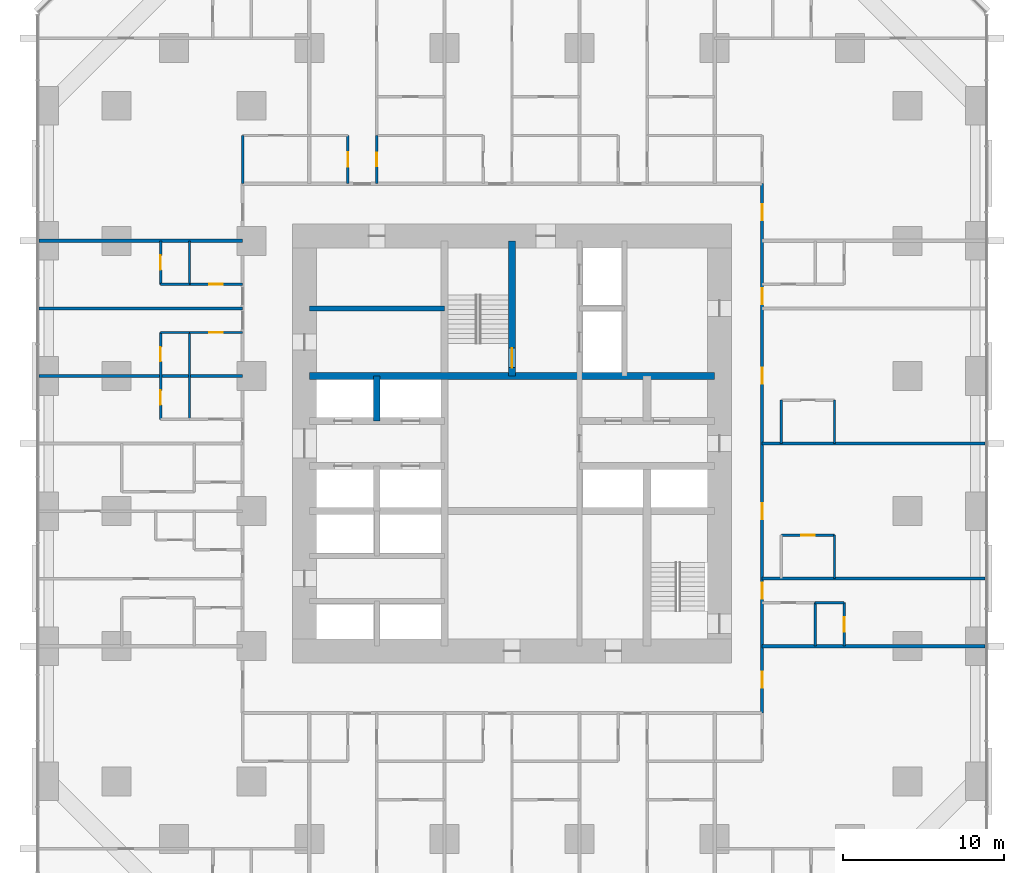
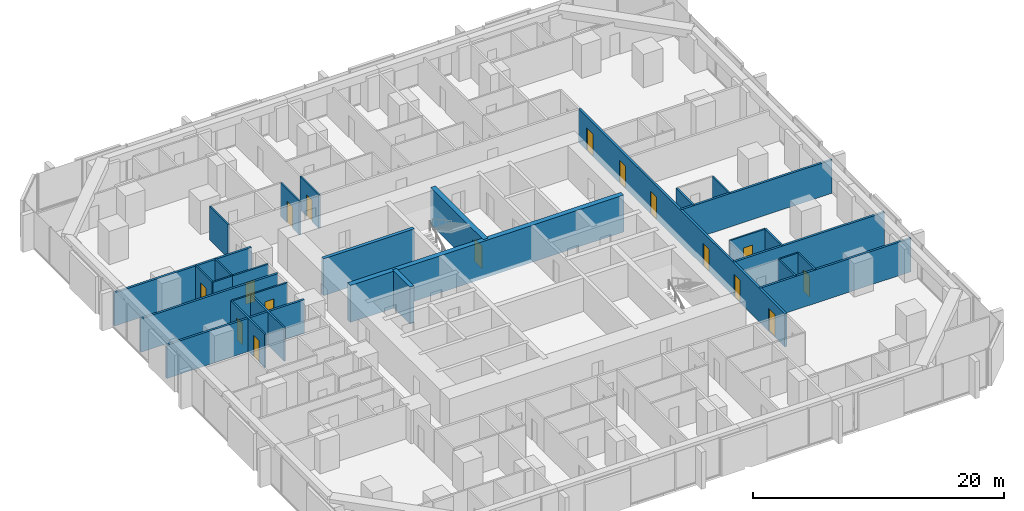
# One storey, part 14 of 17: 29 walls, 16 doors, 16 openings.
"""IFC4 building model written with IfcOpenShell, lengths in metres."""

from ifc_helpers import new_model, si_unit, direction, frame, frame_2d, origin, place, context, subcontext, project, spatial, rectangle, extrude, material, layer, layer_set, type_object, element, fill, save


model = new_model("IFC4")

# Units and contexts
model_context = context("Model", 3, precision=1e-05, world=origin(), true_north=direction((0.0, 1.0)))
body_context = subcontext(model_context, "Body", "Model", "MODEL_VIEW")
ifc_project = project(units=[si_unit("LENGTHUNIT", "METRE"), si_unit("AREAUNIT", "SQUARE_METRE"), si_unit("VOLUMEUNIT", "CUBIC_METRE"), si_unit("PLANEANGLEUNIT", "RADIAN"), si_unit("MASSUNIT", "GRAM", prefix="KILO")], contexts=[model_context])

# Site, building, storey
site_placement = place(None, origin())
site = spatial("IfcSite", under=ifc_project, at=site_placement, CompositionType="ELEMENT")
building_placement = place(site_placement, origin())
building = spatial("IfcBuilding", under=site, at=building_placement, Name="Dunama Terrace Hotel", CompositionType="ELEMENT")
storey_placement = place(building_placement, frame((0.0, 0.0, 52.199951171875)))
storey = spatial("IfcBuildingStorey", under=building, at=storey_placement, Name="L12", CompositionType="ELEMENT", Elevation=52.199951171875)

# Wall
ifc_material_1 = material(Name="Gypsum board partition", Category="masonry")
ifc_layer_1 = layer(ifc_material_1, 0.14990234375)
ifc_layer_set_1 = layer_set([ifc_layer_1], Name="Bathroom partition 150")
wall_type_1 = type_object("IfcWallType", Name="Bathroom partition 150", PredefinedType="PARTITIONING", material=ifc_layer_set_1)
wall_1_placement = place(storey_placement, frame((12.64990234375, 45.550048828125, 0.0), z_axis=(0.0, 0.0, 1.0), x_axis=(0.0, 1.0, 0.0)))
element("IfcWall", 1, at=wall_1_placement, inside=storey, type_object=wall_type_1, Name="Bathroom partition 150 L12", PredefinedType="PARTITIONING", context=body_context, shape_type="SweptSolid", body=[
    extrude(rectangle(XDim=3.0, YDim=0.14990234375, at=frame_2d((1.5, 0.0))), origin(), (0.0, 0.0, 1.0), 3.25),
])

# Wall, opening, door
wall_2_placement = place(storey_placement, frame((21.0, 45.550048828125, 0.0), z_axis=(0.0, 0.0, 1.0), x_axis=(0.0, 1.0, 0.0)))
wall_2 = element("IfcWall", 2, at=wall_2_placement, inside=storey, type_object=wall_type_1, Name="Bathroom partition 150 L12", PredefinedType="PARTITIONING", context=body_context, shape_type="SweptSolid", body=[
    extrude(rectangle(XDim=3.0, YDim=0.14990234375, at=frame_2d((1.5, 0.0))), origin(), (0.0, 0.0, 1.0), 3.25),
])
opening_1_placement = place(wall_2_placement, frame((1.074951171875, 0.0, 0.0)))
opening_1 = element("IfcOpeningElement", 3, at=opening_1_placement, cuts=wall_2, Name="Opening L12-036", PredefinedType="OPENING", context=body_context, shape_type="SweptSolid", body=[
    extrude(rectangle(XDim=0.85009765625, YDim=2.10009765625, at=frame_2d((0.425048828125, 1.050048828125))), frame((0.0, 0.0849609375, 0.0), z_axis=(0.0, -1.0, 0.0), x_axis=(1.0, 0.0, 0.0)), (0.0, 0.0, 1.0), 0.169921875),
])
ifc_material_2 = material(Name="Timber door with steel frame", Category="steel")
door_type_1 = type_object("IfcDoorType", Name="Bathroom door 850", OperationType="SINGLE_SWING_LEFT", PredefinedType="DOOR", material=ifc_material_2)
door_1_placement = place(opening_1_placement, frame((0.85009765625, 0.0, 0.0), z_axis=(0.0, 0.0, 1.0), x_axis=(-1.0, 0.0, 0.0)))
door_1 = element("IfcDoor", 4, at=door_1_placement, inside=storey, type_object=door_type_1, Name="Door to residence bathroom L12-036, type D2", OperationType="SINGLE_SWING_RIGHT", OverallHeight=2.10009765625, OverallWidth=0.85009765625, PredefinedType="DOOR", context=body_context, shape_type="SweptSolid", body=[
    extrude(rectangle(XDim=0.85009765625, YDim=2.10009765625, at=frame_2d((0.425048828125, 1.050048828125))), frame((0.0, 0.025146484375, 0.0), z_axis=(0.0, -1.0, 0.0), x_axis=(1.0, 0.0, 0.0)), (0.0, 0.0, 1.0), 0.050048828125),
])
fill(opening_1, door_1)

# Walls
wall_3_placement = place(storey_placement, frame((46.14990234375, 29.39990234375, 0.0), z_axis=(0.0, 0.0, 1.0), x_axis=(0.0, 1.0, 0.0)))
element("IfcWall", 5, at=wall_3_placement, inside=storey, type_object=wall_type_1, Name="Bathroom partition 150 L12", PredefinedType="PARTITIONING", context=body_context, shape_type="SweptSolid", body=[
    extrude(rectangle(XDim=2.7001953125, YDim=0.14990234375, at=frame_2d((1.35009765625, 0.0))), origin(), (0.0, 0.0, 1.0), 3.25),
])
wall_4_placement = place(storey_placement, frame((49.449951171875, 21.0, 0.0), z_axis=(0.0, 0.0, 1.0), x_axis=(0.0, 1.0, 0.0)))
element("IfcWall", 6, at=wall_4_placement, inside=storey, type_object=wall_type_1, Name="Bathroom partition 150 L12", PredefinedType="PARTITIONING", context=body_context, shape_type="SweptSolid", body=[
    extrude(rectangle(XDim=2.699951171875, YDim=0.14990234375, at=frame_2d((1.35009765625, 0.0))), origin(), (0.0, 0.0, 1.0), 3.25),
])
wall_5_placement = place(storey_placement, frame((49.449951171875, 29.39990234375, 0.0), z_axis=(0.0, 0.0, 1.0), x_axis=(0.0, 1.0, 0.0)))
element("IfcWall", 7, at=wall_5_placement, inside=storey, type_object=wall_type_1, Name="Bathroom partition 150 L12", PredefinedType="PARTITIONING", context=body_context, shape_type="SweptSolid", body=[
    extrude(rectangle(XDim=2.7001953125, YDim=0.14990234375, at=frame_2d((1.35009765625, 0.0))), origin(), (0.0, 0.0, 1.0), 3.25),
])

# Wall, opening, door
wall_6_placement = place(storey_placement, frame((46.14990234375, 23.699951171875, 0.0), z_axis=(0.0, 0.0, 1.0), x_axis=(1.0, 0.0, 0.0)))
wall_6 = element("IfcWall", 8, at=wall_6_placement, inside=storey, type_object=wall_type_1, Name="Bathroom partition 150 L12", PredefinedType="PARTITIONING", context=body_context, shape_type="SweptSolid", body=[
    extrude(rectangle(XDim=3.300048828125, YDim=0.14990234375, at=frame_2d((1.64990234375, 0.0))), origin(), (0.0, 0.0, 1.0), 3.25),
])
opening_2_placement = place(wall_6_placement, frame((1.22509765625, 0.0, 0.0)))
opening_2 = element("IfcOpeningElement", 9, at=opening_2_placement, cuts=wall_6, Name="Opening L12-028", PredefinedType="OPENING", context=body_context, shape_type="SweptSolid", body=[
    extrude(rectangle(XDim=0.85009765625, YDim=2.10009765625, at=frame_2d((0.425048828125, 1.050048828125))), frame((0.0, 0.0849609375, 0.0), z_axis=(0.0, -1.0, 0.0), x_axis=(1.0, 0.0, 0.0)), (0.0, 0.0, 1.0), 0.169921875),
])
door_2_placement = place(opening_2_placement, frame((0.85009765625, 0.0, 0.0), z_axis=(0.0, 0.0, 1.0), x_axis=(-1.0, 0.0, 0.0)))
door_2 = element("IfcDoor", 10, at=door_2_placement, inside=storey, type_object=door_type_1, Name="Door to en-suite bathroom L12-028, type D2", OperationType="SINGLE_SWING_RIGHT", OverallHeight=2.10009765625, OverallWidth=0.85009765625, PredefinedType="DOOR", context=body_context, shape_type="SweptSolid", body=[
    extrude(rectangle(XDim=0.85009765625, YDim=2.10009765625, at=frame_2d((0.425048828125, 1.050048828125))), frame((0.0, 0.025146484375, 0.0), z_axis=(0.0, -1.0, 0.0), x_axis=(1.0, 0.0, 0.0)), (0.0, 0.0, 1.0), 0.050048828125),
])
fill(opening_2, door_2)

wall_7_placement = place(storey_placement, frame((9.35009765625, 36.300048828125, 0.0), z_axis=(0.0, 0.0, 1.0), x_axis=(1.0, 0.0, 0.0)))
wall_7 = element("IfcWall", 11, at=wall_7_placement, inside=storey, type_object=wall_type_1, Name="Bathroom partition 150 L12", PredefinedType="PARTITIONING", context=body_context, shape_type="SweptSolid", body=[
    extrude(rectangle(XDim=3.2998046875, YDim=0.14990234375, at=frame_2d((1.64990234375, 0.0))), origin(), (0.0, 0.0, 1.0), 3.25),
])
opening_3_placement = place(wall_7_placement, frame((1.22509765625, 0.0, 0.0)))
opening_3 = element("IfcOpeningElement", 12, at=opening_3_placement, cuts=wall_7, Name="Opening L12-062", PredefinedType="OPENING", context=body_context, shape_type="SweptSolid", body=[
    extrude(rectangle(XDim=0.85009765625, YDim=2.10009765625, at=frame_2d((0.425048828125, 1.050048828125))), frame((0.0, 0.0849609375, 0.0), z_axis=(0.0, -1.0, 0.0), x_axis=(1.0, 0.0, 0.0)), (0.0, 0.0, 1.0), 0.169921875),
])
door_3_placement = place(opening_3_placement, frame((0.85009765625, 0.0, 0.0), z_axis=(0.0, 0.0, 1.0), x_axis=(-1.0, 0.0, 0.0)))
door_3 = element("IfcDoor", 13, at=door_3_placement, inside=storey, type_object=door_type_1, Name="Door to en-suite bathroom L12-062, type D2", OperationType="SINGLE_SWING_LEFT", OverallHeight=2.10009765625, OverallWidth=0.85009765625, PredefinedType="DOOR", context=body_context, shape_type="SweptSolid", body=[
    extrude(rectangle(XDim=0.85009765625, YDim=2.10009765625, at=frame_2d((0.425048828125, 1.050048828125))), frame((0.0, 0.025146484375, 0.0), z_axis=(0.0, -1.0, 0.0), x_axis=(1.0, 0.0, 0.0)), (0.0, 0.0, 1.0), 0.050048828125),
])
fill(opening_3, door_3)

wall_8_placement = place(storey_placement, frame((9.35009765625, 39.300048828125, 0.0), z_axis=(0.0, 0.0, 1.0), x_axis=(1.0, 0.0, 0.0)))
wall_8 = element("IfcWall", 14, at=wall_8_placement, inside=storey, type_object=wall_type_1, Name="Bathroom partition 150 L12", PredefinedType="PARTITIONING", context=body_context, shape_type="SweptSolid", body=[
    extrude(rectangle(XDim=3.2998046875, YDim=0.14990234375, at=frame_2d((1.64990234375, 0.0))), origin(), (0.0, 0.0, 1.0), 3.25),
])
opening_4_placement = place(wall_8_placement, frame((1.22509765625, 0.0, 0.0)))
opening_4 = element("IfcOpeningElement", 15, at=opening_4_placement, cuts=wall_8, Name="Opening L12-065", PredefinedType="OPENING", context=body_context, shape_type="SweptSolid", body=[
    extrude(rectangle(XDim=0.85009765625, YDim=2.10009765625, at=frame_2d((0.425048828125, 1.050048828125))), frame((0.0, 0.0849609375, 0.0), z_axis=(0.0, -1.0, 0.0), x_axis=(1.0, 0.0, 0.0)), (0.0, 0.0, 1.0), 0.169921875),
])
door_4_placement = place(opening_4_placement, origin())
door_4 = element("IfcDoor", 16, at=door_4_placement, inside=storey, type_object=door_type_1, Name="Door to en-suite bathroom L12-065, type D2", OperationType="SINGLE_SWING_RIGHT", OverallHeight=2.10009765625, OverallWidth=0.85009765625, PredefinedType="DOOR", context=body_context, shape_type="SweptSolid", body=[
    extrude(rectangle(XDim=0.85009765625, YDim=2.10009765625, at=frame_2d((0.425048828125, 1.050048828125))), frame((0.0, 0.02490234375, 0.0), z_axis=(0.0, -1.0, 0.0), x_axis=(1.0, 0.0, 0.0)), (0.0, 0.0, 1.0), 0.050048828125),
])
fill(opening_4, door_4)

# Walls
ifc_material_3 = material(Name="Concrete C50/60", Category="concrete")
ifc_layer_2 = layer(ifc_material_3, 0.300048828125)
ifc_layer_set_2 = layer_set([ifc_layer_2], Name="Core inner wall 300")
wall_type_2 = type_object("IfcWallType", Name="Core inner wall 300", PredefinedType="SHEAR", material=ifc_layer_set_2)
wall_9_placement = place(storey_placement, frame((16.800048828125, 37.800048828125, -0.349853515625), z_axis=(0.0, 0.0, 1.0), x_axis=(1.0, 0.0, 0.0)))
element("IfcWall", 17, at=wall_9_placement, inside=storey, type_object=wall_type_2, Name="Core inner wall 300 L12", PredefinedType="SHEAR", context=body_context, shape_type="SweptSolid", body=[
    extrude(rectangle(XDim=8.39990234375, YDim=0.300048828125, at=frame_2d((4.199951171875, 0.0))), origin(), (0.0, 0.0, 1.0), 3.599853515625),
])
ifc_material_4 = material(Name="Concrete C50/60", Category="concrete")
ifc_layer_3 = layer(ifc_material_4, 0.39990234375)
ifc_layer_set_3 = layer_set([ifc_layer_3], Name="Core inner wall 400")
wall_type_3 = type_object("IfcWallType", Name="Core inner wall 400", PredefinedType="SHEAR", material=ifc_layer_set_3)
wall_10_placement = place(storey_placement, frame((21.0, 30.800048828125, -0.349853515625), z_axis=(0.0, 0.0, 1.0), x_axis=(0.0, 1.0, 0.0)))
element("IfcWall", 18, at=wall_10_placement, inside=storey, type_object=wall_type_3, Name="Core inner wall 400 L12", PredefinedType="SHEAR", context=body_context, shape_type="SweptSolid", body=[
    extrude(rectangle(XDim=2.800048828125, YDim=0.39990234375, at=frame_2d((1.39990234375, 0.0))), origin(), (0.0, 0.0, 1.0), 3.599853515625),
])

# Wall, opening, door
ifc_material_5 = material(Name="Concrete C50/60", Category="concrete")
ifc_layer_4 = layer(ifc_material_5, 0.449951171875)
ifc_layer_set_4 = layer_set([ifc_layer_4], Name="Core inner wall 450")
wall_type_4 = type_object("IfcWallType", Name="Core inner wall 450", PredefinedType="SHEAR", material=ifc_layer_set_4)
wall_11_placement = place(storey_placement, frame((29.39990234375, 33.60009765625, -0.349853515625), z_axis=(0.0, 0.0, 1.0), x_axis=(0.0, 1.0, 0.0)))
wall_11 = element("IfcWall", 19, at=wall_11_placement, inside=storey, type_object=wall_type_4, Name="Core inner wall 450 L12", PredefinedType="SHEAR", context=body_context, shape_type="SweptSolid", body=[
    extrude(rectangle(XDim=8.39990234375, YDim=0.449951171875, at=frame_2d((4.199951171875, 0.0))), origin(), (0.0, 0.0, 1.0), 3.599853515625),
])
opening_5_placement = place(wall_11_placement, frame((0.52490234375, 0.0, 0.35009765625)))
opening_5 = element("IfcOpeningElement", 20, at=opening_5_placement, cuts=wall_11, Name="Opening L12-001", PredefinedType="OPENING", context=body_context, shape_type="SweptSolid", body=[
    extrude(rectangle(XDim=1.199951171875, YDim=2.199951171875, at=frame_2d((0.60009765625, 1.10009765625))), frame((0.0, 0.23486328125, 0.0), z_axis=(0.0, -1.0, 0.0), x_axis=(1.0, 0.0, 0.0)), (0.0, 0.0, 1.0), 0.469970703125),
])
ifc_material_6 = material(Name="Timber door with steel frame", Category="steel")
door_type_2 = type_object("IfcDoorType", Name="Stair door 1200", OperationType="SINGLE_SWING_LEFT", PredefinedType="DOOR", material=ifc_material_6)
door_5_placement = place(opening_5_placement, origin())
door_5 = element("IfcDoor", 21, at=door_5_placement, inside=storey, type_object=door_type_2, Name="Stair door ST1 L12-001, type D5", OperationType="SINGLE_SWING_LEFT", OverallHeight=2.199951171875, OverallWidth=1.199951171875, PredefinedType="DOOR", context=body_context, shape_type="SweptSolid", body=[
    extrude(rectangle(XDim=1.199951171875, YDim=2.199951171875, at=frame_2d((0.60009765625, 1.10009765625))), frame((0.0, 0.02490234375, 0.0), z_axis=(0.0, -1.0, 0.0), x_axis=(1.0, 0.0, 0.0)), (0.0, 0.0, 1.0), 0.050048828125),
])
fill(opening_5, door_5)

# Wall
wall_12_placement = place(storey_placement, frame((16.800048828125, 33.60009765625, -0.349853515625), z_axis=(0.0, 0.0, 1.0), x_axis=(1.0, 0.0, 0.0)))
element("IfcWall", 22, at=wall_12_placement, inside=storey, type_object=wall_type_4, Name="Core inner wall 450 L12", PredefinedType="SHEAR", context=body_context, shape_type="SweptSolid", body=[
    extrude(rectangle(XDim=25.199951171875, YDim=0.449951171875, at=frame_2d((12.60009765625, 0.0))), origin(), (0.0, 0.0, 1.0), 3.599853515625),
])

# Wall, openings, doors
ifc_material_7 = material(Name="Concrete blockwork", Category="masonry")
ifc_layer_5 = layer(ifc_material_7, 0.199951171875)
ifc_layer_set_5 = layer_set([ifc_layer_5], Name="Corridor partition 200")
wall_type_5 = type_object("IfcWallType", Name="Corridor partition 200", PredefinedType="PARTITIONING", material=ifc_layer_set_5)
wall_13_placement = place(storey_placement, frame((44.949951171875, 45.550048828125, 0.0), z_axis=(0.0, 0.0, 1.0), x_axis=(0.0, -1.0, 0.0)))
wall_13 = element("IfcWall", 23, at=wall_13_placement, inside=storey, type_object=wall_type_5, Name="Corridor partition 200 L12", PredefinedType="PARTITIONING", context=body_context, shape_type="SweptSolid", body=[
    extrude(rectangle(XDim=32.900146484375, YDim=0.199951171875, at=frame_2d((16.4501953125, 0.0))), origin(), (0.0, 0.0, 1.0), 3.25),
])
opening_6_placement = place(wall_13_placement, frame((24.800048828125, 0.0, 0.0)))
opening_6 = element("IfcOpeningElement", 24, at=opening_6_placement, cuts=wall_13, Name="Opening L12-024", PredefinedType="OPENING", context=body_context, shape_type="SweptSolid", body=[
    extrude(rectangle(XDim=1.0, YDim=2.199951171875, at=frame_2d((0.5, 1.10009765625))), frame((0.0, 0.10986328125, 0.0), z_axis=(0.0, -1.0, 0.0), x_axis=(1.0, 0.0, 0.0)), (0.0, 0.0, 1.0), 0.219970703125),
])
opening_7_placement = place(wall_13_placement, frame((19.85009765625, 0.0, 0.0)))
opening_7 = element("IfcOpeningElement", 25, at=opening_7_placement, cuts=wall_13, Name="Opening L12-027", PredefinedType="OPENING", context=body_context, shape_type="SweptSolid", body=[
    extrude(rectangle(XDim=1.0, YDim=2.199951171875, at=frame_2d((0.5, 1.10009765625))), frame((0.0, 0.10986328125, 0.0), z_axis=(0.0, -1.0, 0.0), x_axis=(1.0, 0.0, 0.0)), (0.0, 0.0, 1.0), 0.219970703125),
])
opening_8_placement = place(wall_13_placement, frame((11.449951171875, 0.0, 0.0)))
opening_8 = element("IfcOpeningElement", 26, at=opening_8_placement, cuts=wall_13, Name="Opening L12-029", PredefinedType="OPENING", context=body_context, shape_type="SweptSolid", body=[
    extrude(rectangle(XDim=1.0, YDim=2.199951171875, at=frame_2d((0.5, 1.10009765625))), frame((0.0, 0.10986328125, 0.0), z_axis=(0.0, -1.0, 0.0), x_axis=(1.0, 0.0, 0.0)), (0.0, 0.0, 1.0), 0.219970703125),
])
opening_9_placement = place(wall_13_placement, frame((6.5, 0.0, 0.0)))
opening_9 = element("IfcOpeningElement", 27, at=opening_9_placement, cuts=wall_13, Name="Opening L12-031", PredefinedType="OPENING", context=body_context, shape_type="SweptSolid", body=[
    extrude(rectangle(XDim=1.0, YDim=2.199951171875, at=frame_2d((0.5, 1.10009765625))), frame((0.0, 0.10986328125, 0.0), z_axis=(0.0, -1.0, 0.0), x_axis=(1.0, 0.0, 0.0)), (0.0, 0.0, 1.0), 0.219970703125),
])
opening_10_placement = place(wall_13_placement, frame((30.324951171875, 0.0, 0.0)))
opening_10 = element("IfcOpeningElement", 28, at=opening_10_placement, cuts=wall_13, Name="Opening L12-072", PredefinedType="OPENING", context=body_context, shape_type="SweptSolid", body=[
    extrude(rectangle(XDim=1.0, YDim=2.199951171875, at=frame_2d((0.5, 1.10009765625))), frame((0.0, 0.10986328125, 0.0), z_axis=(0.0, -1.0, 0.0), x_axis=(1.0, 0.0, 0.0)), (0.0, 0.0, 1.0), 0.219970703125),
])
opening_11_placement = place(wall_13_placement, frame((1.27490234375, 0.0, 0.0)))
opening_11 = element("IfcOpeningElement", 29, at=opening_11_placement, cuts=wall_13, Name="Opening L12-077", PredefinedType="OPENING", context=body_context, shape_type="SweptSolid", body=[
    extrude(rectangle(XDim=1.0, YDim=2.199951171875, at=frame_2d((0.5, 1.10009765625))), frame((0.0, 0.10986328125, 0.0), z_axis=(0.0, -1.0, 0.0), x_axis=(1.0, 0.0, 0.0)), (0.0, 0.0, 1.0), 0.219970703125),
])
ifc_material_8 = material(Name="Timber door with steel frame", Category="steel")
door_type_3 = type_object("IfcDoorType", Name="Guest room door 1000", OperationType="SINGLE_SWING_LEFT", PredefinedType="DOOR", material=ifc_material_8)
door_6_placement = place(opening_6_placement, origin())
door_6 = element("IfcDoor", 30, at=door_6_placement, inside=storey, type_object=door_type_3, Name="Door to deluxe room L12-024, type D1", OperationType="SINGLE_SWING_LEFT", OverallHeight=2.199951171875, OverallWidth=1.0, PredefinedType="DOOR", context=body_context, shape_type="SweptSolid", body=[
    extrude(rectangle(XDim=1.0, YDim=2.199951171875, at=frame_2d((0.5, 1.10009765625))), frame((0.0, 0.02490234375, 0.0), z_axis=(0.0, -1.0, 0.0), x_axis=(1.0, 0.0, 0.0)), (0.0, 0.0, 1.0), 0.050048828125),
])
fill(opening_6, door_6)
door_7_placement = place(opening_7_placement, origin())
door_7 = element("IfcDoor", 31, at=door_7_placement, inside=storey, type_object=door_type_3, Name="Door to junior suite L12-027, type D1", OperationType="SINGLE_SWING_RIGHT", OverallHeight=2.199951171875, OverallWidth=1.0, PredefinedType="DOOR", context=body_context, shape_type="SweptSolid", body=[
    extrude(rectangle(XDim=1.0, YDim=2.199951171875, at=frame_2d((0.5, 1.10009765625))), frame((0.0, 0.02490234375, 0.0), z_axis=(0.0, -1.0, 0.0), x_axis=(1.0, 0.0, 0.0)), (0.0, 0.0, 1.0), 0.050048828125),
])
fill(opening_7, door_7)
door_8_placement = place(opening_8_placement, origin())
door_8 = element("IfcDoor", 32, at=door_8_placement, inside=storey, type_object=door_type_3, Name="Door to junior suite L12-029, type D1", OperationType="SINGLE_SWING_RIGHT", OverallHeight=2.199951171875, OverallWidth=1.0, PredefinedType="DOOR", context=body_context, shape_type="SweptSolid", body=[
    extrude(rectangle(XDim=1.0, YDim=2.199951171875, at=frame_2d((0.5, 1.10009765625))), frame((0.0, 0.02490234375, 0.0), z_axis=(0.0, -1.0, 0.0), x_axis=(1.0, 0.0, 0.0)), (0.0, 0.0, 1.0), 0.050048828125),
])
fill(opening_8, door_8)
door_9_placement = place(opening_9_placement, origin())
door_9 = element("IfcDoor", 33, at=door_9_placement, inside=storey, type_object=door_type_3, Name="Door to deluxe room L12-031, type D1", OperationType="SINGLE_SWING_RIGHT", OverallHeight=2.199951171875, OverallWidth=1.0, PredefinedType="DOOR", context=body_context, shape_type="SweptSolid", body=[
    extrude(rectangle(XDim=1.0, YDim=2.199951171875, at=frame_2d((0.5, 1.10009765625))), frame((0.0, 0.02490234375, 0.0), z_axis=(0.0, -1.0, 0.0), x_axis=(1.0, 0.0, 0.0)), (0.0, 0.0, 1.0), 0.050048828125),
])
fill(opening_9, door_9)
door_10_placement = place(opening_10_placement, origin())
door_10 = element("IfcDoor", 34, at=door_10_placement, inside=storey, type_object=door_type_3, Name="Door to corner suite living room L12-072, type D1", OperationType="SINGLE_SWING_RIGHT", OverallHeight=2.199951171875, OverallWidth=1.0, PredefinedType="DOOR", context=body_context, shape_type="SweptSolid", body=[
    extrude(rectangle(XDim=1.0, YDim=2.199951171875, at=frame_2d((0.5, 1.10009765625))), frame((0.0, 0.02490234375, 0.0), z_axis=(0.0, -1.0, 0.0), x_axis=(1.0, 0.0, 0.0)), (0.0, 0.0, 1.0), 0.050048828125),
])
fill(opening_10, door_10)
door_11_placement = place(opening_11_placement, origin())
door_11 = element("IfcDoor", 35, at=door_11_placement, inside=storey, type_object=door_type_3, Name="Door to corner suite living room L12-077, type D1", OperationType="SINGLE_SWING_LEFT", OverallHeight=2.199951171875, OverallWidth=1.0, PredefinedType="DOOR", context=body_context, shape_type="SweptSolid", body=[
    extrude(rectangle(XDim=1.0, YDim=2.199951171875, at=frame_2d((0.5, 1.10009765625))), frame((0.0, 0.02490234375, 0.0), z_axis=(0.0, -1.0, 0.0), x_axis=(1.0, 0.0, 0.0)), (0.0, 0.0, 1.0), 0.050048828125),
])
fill(opening_11, door_11)

# Walls
ifc_material_9 = material(Name="Concrete blockwork", Category="masonry")
ifc_layer_6 = layer(ifc_material_9, 0.199951171875)
ifc_layer_set_6 = layer_set([ifc_layer_6], Name="Party wall 200")
wall_type_6 = type_object("IfcWallType", Name="Party wall 200", PredefinedType="PARTITIONING", material=ifc_layer_set_6)
for number, where, z_axis, x_axis, name in (
    (36, (44.949951171875, 16.800048828125, 0.0), (0.0, 0.0, 1.0), (1.0, 0.0, 0.0), "Party wall 200 L12"),
    (37, (44.949951171875, 21.0, 0.0), (0.0, 0.0, 1.0), (1.0, 0.0, 0.0), "Party wall 200 L12"),
    (38, (44.949951171875, 29.39990234375, 0.0), (0.0, 0.0, 1.0), (1.0, 0.0, 0.0), "Party wall 200 L12"),
):
    element("IfcWall", number, at=place(storey_placement, frame(where, z_axis=z_axis, x_axis=x_axis)), inside=storey, type_object=wall_type_6, Name=name, PredefinedType="PARTITIONING", context=body_context, shape_type="SweptSolid", body=[
        extrude(rectangle(XDim=13.858154296875, YDim=0.199951171875, at=frame_2d((6.92919921875, 0.0))), origin(), (0.0, 0.0, 1.0), 3.25),
    ])
for number, where, z_axis, x_axis, name in (
    (39, (-0.008056640625, 33.60009765625, 0.0), (0.0, 0.0, 1.0), (1.0, 0.0, 0.0), "Party wall 200 L12"),
    (40, (-0.008056640625, 37.800048828125, 0.0), (0.0, 0.0, 1.0), (1.0, 0.0, 0.0), "Party wall 200 L12"),
    (41, (-0.008056640625, 42.0, 0.0), (0.0, 0.0, 1.0), (1.0, 0.0, 0.0), "Party wall 200 L12"),
):
    element("IfcWall", number, at=place(storey_placement, frame(where, z_axis=z_axis, x_axis=x_axis)), inside=storey, type_object=wall_type_6, Name=name, PredefinedType="PARTITIONING", context=body_context, shape_type="SweptSolid", body=[
        extrude(rectangle(XDim=12.657958984375, YDim=0.199951171875, at=frame_2d((6.3291015625, 0.0))), origin(), (0.0, 0.0, 1.0), 3.25),
    ])

# Wall, openings, doors
ifc_material_10 = material(Name="Gypsum board partition", Category="masonry")
ifc_layer_7 = layer(ifc_material_10, 0.14990234375)
ifc_layer_set_7 = layer_set([ifc_layer_7], Name="Room partition 150")
wall_type_7 = type_object("IfcWallType", Name="Room partition 150", PredefinedType="PARTITIONING", material=ifc_layer_set_7)
wall_14_placement = place(storey_placement, frame((7.550048828125, 30.89990234375, 0.0), z_axis=(0.0, 0.0, 1.0), x_axis=(0.0, 1.0, 0.0)))
wall_14 = element("IfcWall", 42, at=wall_14_placement, inside=storey, type_object=wall_type_7, Name="Room partition 150 L12", PredefinedType="PARTITIONING", context=body_context, shape_type="SweptSolid", body=[
    extrude(rectangle(XDim=5.400146484375, YDim=0.14990234375, at=frame_2d((2.7001953125, 0.0))), origin(), (0.0, 0.0, 1.0), 3.25),
])
opening_12_placement = place(wall_14_placement, frame((0.89990234375, 0.0, 0.0)))
opening_12 = element("IfcOpeningElement", 43, at=opening_12_placement, cuts=wall_14, Name="Opening L12-060", PredefinedType="OPENING", context=body_context, shape_type="SweptSolid", body=[
    extrude(rectangle(XDim=0.89990234375, YDim=2.10009765625, at=frame_2d((0.449951171875, 1.050048828125))), frame((0.0, 0.0849609375, 0.0), z_axis=(0.0, -1.0, 0.0), x_axis=(1.0, 0.0, 0.0)), (0.0, 0.0, 1.0), 0.169921875),
])
opening_13_placement = place(wall_14_placement, frame((3.60009765625, 0.0, 0.0)))
opening_13 = element("IfcOpeningElement", 44, at=opening_13_placement, cuts=wall_14, Name="Opening L12-063", PredefinedType="OPENING", context=body_context, shape_type="SweptSolid", body=[
    extrude(rectangle(XDim=0.89990234375, YDim=2.10009765625, at=frame_2d((0.449951171875, 1.050048828125))), frame((0.0, 0.0849609375, 0.0), z_axis=(0.0, -1.0, 0.0), x_axis=(1.0, 0.0, 0.0)), (0.0, 0.0, 1.0), 0.169921875),
])
ifc_material_11 = material(Name="Timber door with steel frame", Category="steel")
door_type_4 = type_object("IfcDoorType", Name="Suite internal door 900", OperationType="SINGLE_SWING_LEFT", PredefinedType="DOOR", material=ifc_material_11)
door_12_placement = place(opening_12_placement, frame((0.89990234375, 0.0, 0.0), z_axis=(0.0, 0.0, 1.0), x_axis=(-1.0, 0.0, 0.0)))
door_12 = element("IfcDoor", 45, at=door_12_placement, inside=storey, type_object=door_type_4, Name="Door to walk-in wardrobe L12-060, type D16", OperationType="SINGLE_SWING_LEFT", OverallHeight=2.10009765625, OverallWidth=0.89990234375, PredefinedType="DOOR", context=body_context, shape_type="SweptSolid", body=[
    extrude(rectangle(XDim=0.89990234375, YDim=2.10009765625, at=frame_2d((0.449951171875, 1.050048828125))), frame((0.0, 0.025146484375, 0.0), z_axis=(0.0, -1.0, 0.0), x_axis=(1.0, 0.0, 0.0)), (0.0, 0.0, 1.0), 0.050048828125),
])
fill(opening_12, door_12)
door_13_placement = place(opening_13_placement, frame((0.89990234375, 0.0, 0.0), z_axis=(0.0, 0.0, 1.0), x_axis=(-1.0, 0.0, 0.0)))
door_13 = element("IfcDoor", 46, at=door_13_placement, inside=storey, type_object=door_type_4, Name="Door to walk-in wardrobe L12-063, type D16", OperationType="SINGLE_SWING_RIGHT", OverallHeight=2.10009765625, OverallWidth=0.89990234375, PredefinedType="DOOR", context=body_context, shape_type="SweptSolid", body=[
    extrude(rectangle(XDim=0.89990234375, YDim=2.10009765625, at=frame_2d((0.449951171875, 1.050048828125))), frame((0.0, 0.025146484375, 0.0), z_axis=(0.0, -1.0, 0.0), x_axis=(1.0, 0.0, 0.0)), (0.0, 0.0, 1.0), 0.050048828125),
])
fill(opening_13, door_13)

# Wall, opening, door
wall_15_placement = place(storey_placement, frame((7.550048828125, 39.300048828125, 0.0), z_axis=(0.0, 0.0, 1.0), x_axis=(0.0, 1.0, 0.0)))
wall_15 = element("IfcWall", 47, at=wall_15_placement, inside=storey, type_object=wall_type_7, Name="Room partition 150 L12", PredefinedType="PARTITIONING", context=body_context, shape_type="SweptSolid", body=[
    extrude(rectangle(XDim=2.699951171875, YDim=0.14990234375, at=frame_2d((1.35009765625, 0.0))), origin(), (0.0, 0.0, 1.0), 3.25),
])
opening_14_placement = place(wall_15_placement, frame((0.89990234375, 0.0, 0.0)))
opening_14 = element("IfcOpeningElement", 48, at=opening_14_placement, cuts=wall_15, Name="Opening L12-066", PredefinedType="OPENING", context=body_context, shape_type="SweptSolid", body=[
    extrude(rectangle(XDim=0.89990234375, YDim=2.10009765625, at=frame_2d((0.449951171875, 1.050048828125))), frame((0.0, 0.0849609375, 0.0), z_axis=(0.0, -1.0, 0.0), x_axis=(1.0, 0.0, 0.0)), (0.0, 0.0, 1.0), 0.169921875),
])
door_14_placement = place(opening_14_placement, frame((0.89990234375, 0.0, 0.0), z_axis=(0.0, 0.0, 1.0), x_axis=(-1.0, 0.0, 0.0)))
door_14 = element("IfcDoor", 49, at=door_14_placement, inside=storey, type_object=door_type_4, Name="Door to walk-in wardrobe L12-066, type D16", OperationType="SINGLE_SWING_LEFT", OverallHeight=2.10009765625, OverallWidth=0.89990234375, PredefinedType="DOOR", context=body_context, shape_type="SweptSolid", body=[
    extrude(rectangle(XDim=0.89990234375, YDim=2.10009765625, at=frame_2d((0.449951171875, 1.050048828125))), frame((0.0, 0.025146484375, 0.0), z_axis=(0.0, -1.0, 0.0), x_axis=(1.0, 0.0, 0.0)), (0.0, 0.0, 1.0), 0.050048828125),
])
fill(opening_14, door_14)

# Walls
wall_16_placement = place(storey_placement, frame((9.35009765625, 30.89990234375, 0.0), z_axis=(0.0, 0.0, 1.0), x_axis=(0.0, 1.0, 0.0)))
element("IfcWall", 50, at=wall_16_placement, inside=storey, type_object=wall_type_7, Name="Room partition 150 L12", PredefinedType="PARTITIONING", context=body_context, shape_type="SweptSolid", body=[
    extrude(rectangle(XDim=5.400146484375, YDim=0.14990234375, at=frame_2d((2.7001953125, 0.0))), origin(), (0.0, 0.0, 1.0), 3.25),
])
wall_17_placement = place(storey_placement, frame((9.35009765625, 39.300048828125, 0.0), z_axis=(0.0, 0.0, 1.0), x_axis=(0.0, 1.0, 0.0)))
element("IfcWall", 51, at=wall_17_placement, inside=storey, type_object=wall_type_7, Name="Room partition 150 L12", PredefinedType="PARTITIONING", context=body_context, shape_type="SweptSolid", body=[
    extrude(rectangle(XDim=2.699951171875, YDim=0.14990234375, at=frame_2d((1.35009765625, 0.0))), origin(), (0.0, 0.0, 1.0), 3.25),
])

# Wall, opening, door
wall_18_placement = place(storey_placement, frame((19.199951171875, 45.550048828125, 0.0), z_axis=(0.0, 0.0, 1.0), x_axis=(0.0, 1.0, 0.0)))
wall_18 = element("IfcWall", 52, at=wall_18_placement, inside=storey, type_object=wall_type_7, Name="Room partition 150 L12", PredefinedType="PARTITIONING", context=body_context, shape_type="SweptSolid", body=[
    extrude(rectangle(XDim=3.0, YDim=0.14990234375, at=frame_2d((1.5, 0.0))), origin(), (0.0, 0.0, 1.0), 3.25),
])
opening_15_placement = place(wall_18_placement, frame((1.050048828125, 0.0, 0.0)))
opening_15 = element("IfcOpeningElement", 53, at=opening_15_placement, cuts=wall_18, Name="Opening L12-035", PredefinedType="OPENING", context=body_context, shape_type="SweptSolid", body=[
    extrude(rectangle(XDim=0.89990234375, YDim=2.10009765625, at=frame_2d((0.449951171875, 1.050048828125))), frame((0.0, 0.0849609375, 0.0), z_axis=(0.0, -1.0, 0.0), x_axis=(1.0, 0.0, 0.0)), (0.0, 0.0, 1.0), 0.169921875),
])
door_15_placement = place(opening_15_placement, origin())
door_15 = element("IfcDoor", 54, at=door_15_placement, inside=storey, type_object=door_type_4, Name="Door to residence kitchen L12-035, type D16", OperationType="SINGLE_SWING_LEFT", OverallHeight=2.10009765625, OverallWidth=0.89990234375, PredefinedType="DOOR", context=body_context, shape_type="SweptSolid", body=[
    extrude(rectangle(XDim=0.89990234375, YDim=2.10009765625, at=frame_2d((0.449951171875, 1.050048828125))), frame((0.0, 0.02490234375, 0.0), z_axis=(0.0, -1.0, 0.0), x_axis=(1.0, 0.0, 0.0)), (0.0, 0.0, 1.0), 0.050048828125),
])
fill(opening_15, door_15)

# Wall
wall_19_placement = place(storey_placement, frame((48.25, 16.800048828125, 0.0), z_axis=(0.0, 0.0, 1.0), x_axis=(0.0, 1.0, 0.0)))
element("IfcWall", 55, at=wall_19_placement, inside=storey, type_object=wall_type_7, Name="Room partition 150 L12", PredefinedType="PARTITIONING", context=body_context, shape_type="SweptSolid", body=[
    extrude(rectangle(XDim=2.699951171875, YDim=0.14990234375, at=frame_2d((1.35009765625, 0.0))), origin(), (0.0, 0.0, 1.0), 3.25),
])

# Wall, opening, door
wall_20_placement = place(storey_placement, frame((50.050048828125, 16.800048828125, 0.0), z_axis=(0.0, 0.0, 1.0), x_axis=(0.0, 1.0, 0.0)))
wall_20 = element("IfcWall", 56, at=wall_20_placement, inside=storey, type_object=wall_type_7, Name="Room partition 150 L12", PredefinedType="PARTITIONING", context=body_context, shape_type="SweptSolid", body=[
    extrude(rectangle(XDim=2.699951171875, YDim=0.14990234375, at=frame_2d((1.35009765625, 0.0))), origin(), (0.0, 0.0, 1.0), 3.25),
])
opening_16_placement = place(wall_20_placement, frame((0.89990234375, 0.0, 0.0)))
opening_16 = element("IfcOpeningElement", 57, at=opening_16_placement, cuts=wall_20, Name="Opening L12-026", PredefinedType="OPENING", context=body_context, shape_type="SweptSolid", body=[
    extrude(rectangle(XDim=0.89990234375, YDim=2.10009765625, at=frame_2d((0.449951171875, 1.050048828125))), frame((0.0, 0.0849609375, 0.0), z_axis=(0.0, -1.0, 0.0), x_axis=(1.0, 0.0, 0.0)), (0.0, 0.0, 1.0), 0.169921875),
])
door_16_placement = place(opening_16_placement, origin())
door_16 = element("IfcDoor", 58, at=door_16_placement, inside=storey, type_object=door_type_4, Name="Door to walk-in wardrobe L12-026, type D16", OperationType="SINGLE_SWING_LEFT", OverallHeight=2.10009765625, OverallWidth=0.89990234375, PredefinedType="DOOR", context=body_context, shape_type="SweptSolid", body=[
    extrude(rectangle(XDim=0.89990234375, YDim=2.10009765625, at=frame_2d((0.449951171875, 1.050048828125))), frame((0.0, 0.02490234375, 0.0), z_axis=(0.0, -1.0, 0.0), x_axis=(1.0, 0.0, 0.0)), (0.0, 0.0, 1.0), 0.050048828125),
])
fill(opening_16, door_16)

# Walls
for number, where, z_axis, x_axis, name in (
    (59, (48.25, 19.5, 0.0), (0.0, 0.0, 1.0), (1.0, 0.0, 0.0), "Room partition 150 L12"),
    (60, (7.550048828125, 36.300048828125, 0.0), (0.0, 0.0, 1.0), (1.0, 0.0, 0.0), "Room partition 150 L12"),
    (61, (7.550048828125, 39.300048828125, 0.0), (0.0, 0.0, 1.0), (1.0, 0.0, 0.0), "Room partition 150 L12"),
):
    element("IfcWall", number, at=place(storey_placement, frame(where, z_axis=z_axis, x_axis=x_axis)), inside=storey, type_object=wall_type_7, Name=name, PredefinedType="PARTITIONING", context=body_context, shape_type="SweptSolid", body=[
        extrude(rectangle(XDim=1.800048828125, YDim=0.14990234375, at=frame_2d((0.89990234375, 0.0))), origin(), (0.0, 0.0, 1.0), 3.25),
    ])

save(model, "model.ifc")
